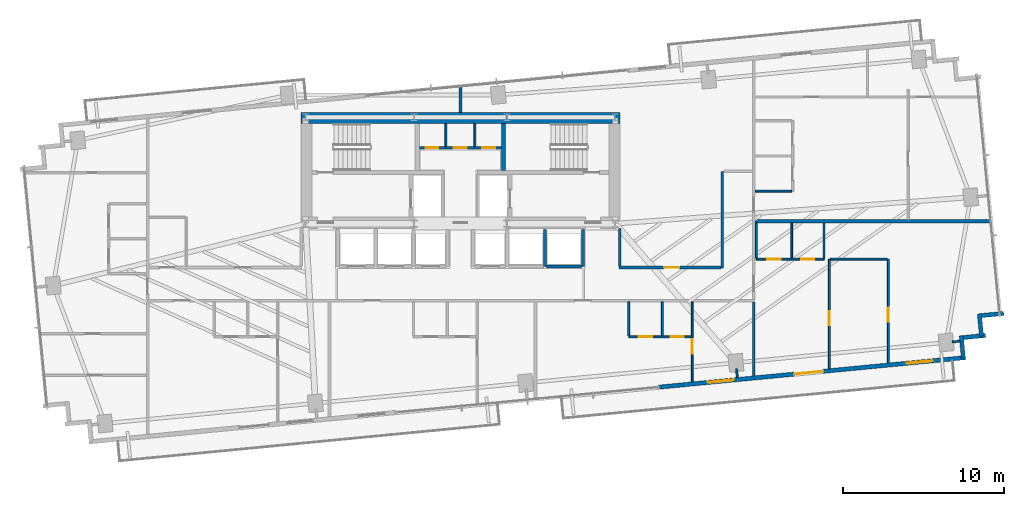
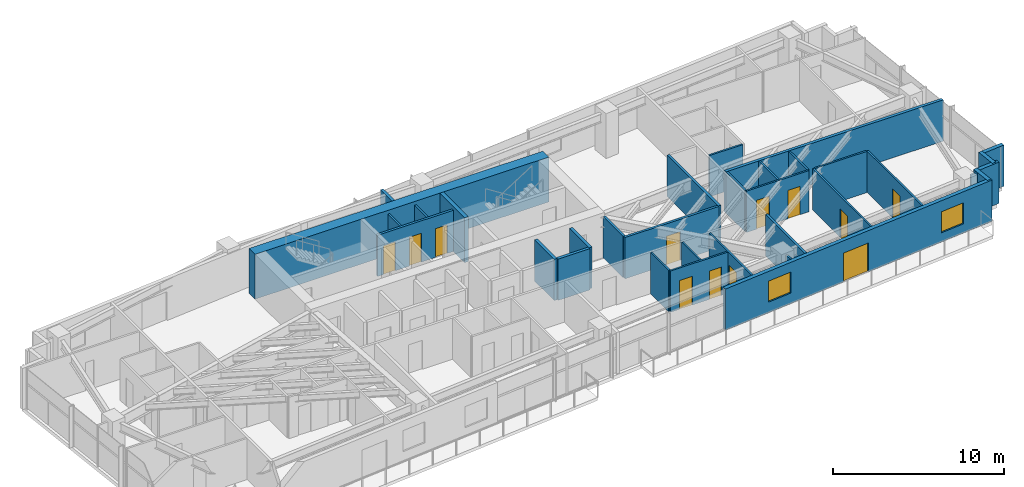
# One storey, part 23 of 27: 33 walls, 12 doors, 2 windows, 14 openings.
"""IFC4 building model written with IfcOpenShell, lengths in metres."""

from ifc_helpers import new_model, si_unit, direction, frame, frame_2d, origin, place, context, subcontext, project, spatial, rectangle, extrude, source, transform, mapped, material, layer, layer_set, type_object, type_shapes, element, fill, save


model = new_model("IFC4")

# Units and contexts
model_context = context("Model", 3, precision=1e-05, world=origin(), true_north=direction((0.0, 1.0)))
body_context = subcontext(model_context, "Body", "Model", "MODEL_VIEW")
ifc_project = project(units=[si_unit("LENGTHUNIT", "METRE"), si_unit("AREAUNIT", "SQUARE_METRE"), si_unit("VOLUMEUNIT", "CUBIC_METRE"), si_unit("PLANEANGLEUNIT", "RADIAN"), si_unit("MASSUNIT", "GRAM", prefix="KILO")], contexts=[model_context])

# Site, building, storey
site_placement = place(None, origin())
site = spatial("IfcSite", under=ifc_project, at=site_placement, CompositionType="ELEMENT")
building_placement = place(site_placement, origin())
building = spatial("IfcBuilding", under=site, at=building_placement, Name="Astriad Promenade Condominiums", CompositionType="ELEMENT")
storey_placement = place(building_placement, frame((0.0, 0.0, 97.0)))
storey = spatial("IfcBuildingStorey", under=building, at=storey_placement, Name="L27", CompositionType="ELEMENT", Elevation=97.0)

# Walls
ifc_material_1 = material(Name="Concrete C60/75", Category="concrete")
ifc_layer_1 = layer(ifc_material_1, 0.699951171875)
ifc_layer_set_1 = layer_set([ifc_layer_1], Name="Concrete C60/75")
wall_type_1 = type_object("IfcWallType", Name="CW-SHEAR-700", PredefinedType="SHEAR", material=ifc_layer_set_1)
wall_1_placement = place(storey_placement, frame((26.10009765625, 23.949951171875, 0.0), z_axis=(0.0, 0.0, 1.0), x_axis=(1.0, 0.0, 0.0)))
element("IfcWall", 1, at=wall_1_placement, inside=storey, type_object=wall_type_1, Name="CW-CORE-N-L27", PredefinedType="SHEAR", context=body_context, shape_type="SweptSolid", body=[
    extrude(rectangle(XDim=19.7998046875, YDim=0.699951171875, at=frame_2d((9.89990234375, 0.0))), origin(), (0.0, 0.0, 1.0), 3.199951171875),
])
ifc_material_2 = material(Name="Concrete C50/60", Category="concrete")
ifc_layer_2 = layer(ifc_material_2, 0.25)
ifc_layer_set_2 = layer_set([ifc_layer_2], Name="Concrete C50/60")
wall_type_2 = type_object("IfcWallType", Name="WALL-CORE-INT-250", PredefinedType="SOLIDWALL", material=ifc_layer_set_2)
wall_2_placement = place(storey_placement, frame((38.675048828125, 20.701904296875, 0.0), z_axis=(0.0, 0.0, 1.0), x_axis=(0.0, 1.0, 0.0)))
element("IfcWall", 2, at=wall_2_placement, inside=storey, type_object=wall_type_2, Name="CW-ST2-W-L27", PredefinedType="SOLIDWALL", context=body_context, shape_type="SweptSolid", body=[
    extrude(rectangle(XDim=2.89599609375, YDim=0.25, at=frame_2d((1.447998046875, 0.0))), origin(), (0.0, 0.0, 1.0), 3.199951171875),
])

# Wall, openings, doors
ifc_material_3 = material(Name="Fire-Rated Gypsum Partition")
ifc_layer_3 = layer(ifc_material_3, 0.159912109375)
ifc_layer_set_3 = layer_set([ifc_layer_3], Name="Fire-Rated Gypsum Partition")
wall_type_3 = type_object("IfcWallType", Name="WALL-CORR-160", PredefinedType="PARTITIONING", material=ifc_layer_set_3)
wall_3_placement = place(storey_placement, frame((33.451904296875, 22.10009765625, 0.0), z_axis=(0.0, 0.0, 1.0), x_axis=(1.0, 0.0, 0.0)))
wall_3 = element("IfcWall", 3, at=wall_3_placement, inside=storey, type_object=wall_type_3, Name="CW-AUX-N-L27", PredefinedType="PARTITIONING", context=body_context, shape_type="SweptSolid", body=[
    extrude(rectangle(XDim=5.09619140625, YDim=0.159912109375, at=frame_2d((2.548095703125, 0.0))), origin(), (0.0, 0.0, 1.0), 2.93994140625),
])
opening_1_placement = place(wall_3_placement, frame((0.387939453125, 0.0, 0.0)))
opening_1 = element("IfcOpeningElement", 4, at=opening_1_placement, cuts=wall_3, Name="Opening FD60-SV-080", PredefinedType="OPENING", context=body_context, shape_type="SweptSolid", body=[
    extrude(rectangle(XDim=0.800048828125, YDim=2.050048828125, at=frame_2d((0.39990234375, 1.02490234375))), frame((0.0, 0.08984375, 0.0), z_axis=(0.0, -1.0, 0.0), x_axis=(1.0, 0.0, 0.0)), (0.0, 0.0, 1.0), 0.179931640625),
])
opening_2_placement = place(wall_3_placement, frame((2.14794921875, 0.0, 0.0)))
opening_2 = element("IfcOpeningElement", 5, at=opening_2_placement, cuts=wall_3, Name="Opening FD60-SV-080", PredefinedType="OPENING", context=body_context, shape_type="SweptSolid", body=[
    extrude(rectangle(XDim=0.800048828125, YDim=2.050048828125, at=frame_2d((0.39990234375, 1.02490234375))), frame((0.0, 0.08984375, 0.0), z_axis=(0.0, -1.0, 0.0), x_axis=(1.0, 0.0, 0.0)), (0.0, 0.0, 1.0), 0.179931640625),
])
opening_3_placement = place(wall_3_placement, frame((3.907958984375, 0.0, 0.0)))
opening_3 = element("IfcOpeningElement", 6, at=opening_3_placement, cuts=wall_3, Name="Opening FD60-SV-080", PredefinedType="OPENING", context=body_context, shape_type="SweptSolid", body=[
    extrude(rectangle(XDim=0.800048828125, YDim=2.050048828125, at=frame_2d((0.39990234375, 1.02490234375))), frame((0.0, 0.08984375, 0.0), z_axis=(0.0, -1.0, 0.0), x_axis=(1.0, 0.0, 0.0)), (0.0, 0.0, 1.0), 0.179931640625),
])
ifc_material_4 = material(Name="Fire-Rated Riser Closet Door")
door_type_1 = type_object("IfcDoorType", Name="FD60-SV-080", OperationType="NOTDEFINED", PredefinedType="DOOR", material=ifc_material_4)
shared_shape_1 = source(origin(), body_context, "Body", "SweptSolid", [
    extrude(rectangle(XDim=0.800048828125, YDim=2.050048828125, at=frame_2d((0.39990234375, 1.02490234375))), frame((0.0, 0.02490234375, 0.0), z_axis=(0.0, -1.0, 0.0), x_axis=(1.0, 0.0, 0.0)), (0.0, 0.0, 1.0), 0.050048828125),
])
type_shapes(door_type_1, [shared_shape_1])
door_1_placement = place(opening_1_placement, origin())
door_1 = element("IfcDoor", 7, at=door_1_placement, inside=storey, type_object=door_type_1, Name="D-AUX1-L27", OperationType="SINGLE_SWING_RIGHT", OverallHeight=2.050048828125, OverallWidth=0.800048828125, PredefinedType="DOOR", context=body_context, shape_type="MappedRepresentation", body=[
    mapped(shared_shape_1, transform((0.0, 0.0, 0.0), scale=1.0)),
])
fill(opening_1, door_1)
door_2_placement = place(opening_2_placement, origin())
door_2 = element("IfcDoor", 8, at=door_2_placement, inside=storey, type_object=door_type_1, Name="D-AUX2-L27", OperationType="SINGLE_SWING_LEFT", OverallHeight=2.050048828125, OverallWidth=0.800048828125, PredefinedType="DOOR", context=body_context, shape_type="MappedRepresentation", body=[
    mapped(shared_shape_1, transform((0.0, 0.0, 0.0), scale=1.0)),
])
fill(opening_2, door_2)
door_3_placement = place(opening_3_placement, origin())
door_3 = element("IfcDoor", 9, at=door_3_placement, inside=storey, type_object=door_type_1, Name="D-AUX3-L27", OperationType="SINGLE_SWING_RIGHT", OverallHeight=2.050048828125, OverallWidth=0.800048828125, PredefinedType="DOOR", context=body_context, shape_type="MappedRepresentation", body=[
    mapped(shared_shape_1, transform((0.0, 0.0, 0.0), scale=1.0)),
])
fill(opening_3, door_3)

# Walls
wall_4_placement = place(storey_placement, frame((54.199951171875, 7.961181640625, 0.0), z_axis=(0.0, 0.0, 1.0), x_axis=(0.0, 1.0, 0.0)))
element("IfcWall", 10, at=wall_4_placement, inside=storey, type_object=wall_type_3, Name="PT-COR-E-L27", PredefinedType="PARTITIONING", context=body_context, shape_type="SweptSolid", body=[
    extrude(rectangle(XDim=4.5869140625, YDim=0.159912109375, at=frame_2d((2.29345703125, 0.0))), origin(), (0.0, 0.0, 1.0), 2.93994140625),
])
wall_5_placement = place(storey_placement, frame((52.25, 14.659912109375, 0.0), z_axis=(0.0, 0.0, 1.0), x_axis=(0.0, 1.0, 0.0)))
element("IfcWall", 11, at=wall_5_placement, inside=storey, type_object=wall_type_3, Name="PT-EALC-W-L27", PredefinedType="PARTITIONING", context=body_context, shape_type="SweptSolid", body=[
    extrude(rectangle(XDim=5.989990234375, YDim=0.159912109375, at=frame_2d((2.9951171875, 0.0))), origin(), (0.0, 0.0, 1.0), 2.93994140625),
])

# Wall, opening, door
wall_6_placement = place(storey_placement, frame((45.840087890625, 14.679931640625, 0.0), z_axis=(0.0, 0.0, 1.0), x_axis=(1.0, 0.0, 0.0)))
wall_6 = element("IfcWall", 12, at=wall_6_placement, inside=storey, type_object=wall_type_3, Name="PT-FLK-NE-L27", PredefinedType="PARTITIONING", context=body_context, shape_type="SweptSolid", body=[
    extrude(rectangle(XDim=6.327880859375, YDim=0.159912109375, at=frame_2d((3.1640625, 0.0))), origin(), (0.0, 0.0, 1.0), 2.93994140625),
])
opening_4_placement = place(wall_6_placement, frame((2.7900390625, 0.0, 0.0)))
opening_4 = element("IfcOpeningElement", 13, at=opening_4_placement, cuts=wall_6, Name="Opening FD60-APT-095", PredefinedType="OPENING", context=body_context, shape_type="SweptSolid", body=[
    extrude(rectangle(XDim=0.949951171875, YDim=2.06005859375, at=frame_2d((0.47509765625, 1.030029296875))), frame((0.0, 0.08984375, 0.0), z_axis=(0.0, -1.0, 0.0), x_axis=(1.0, 0.0, 0.0)), (0.0, 0.0, 1.0), 0.179931640625),
])
ifc_material_5 = material(Name="Solid-Core Acoustic Timber Residence Entry Door", Category="wood")
door_type_2 = type_object("IfcDoorType", Name="FD60-APT-095", OperationType="NOTDEFINED", PredefinedType="DOOR", material=ifc_material_5)
shared_shape_2 = source(origin(), body_context, "Body", "SweptSolid", [
    extrude(rectangle(XDim=0.949951171875, YDim=2.06005859375, at=frame_2d((0.47509765625, 1.030029296875))), frame((0.0, 0.02490234375, 0.0), z_axis=(0.0, -1.0, 0.0), x_axis=(1.0, 0.0, 0.0)), (0.0, 0.0, 1.0), 0.050048828125),
])
type_shapes(door_type_2, [shared_shape_2])
door_4_placement = place(opening_4_placement, origin())
door_4 = element("IfcDoor", 14, at=door_4_placement, inside=storey, type_object=door_type_2, Name="D-NEA-L27", OperationType="SINGLE_SWING_RIGHT", OverallHeight=2.06005859375, OverallWidth=0.949951171875, PredefinedType="DOOR", context=body_context, shape_type="MappedRepresentation", body=[
    mapped(shared_shape_2, transform((0.0, 0.0, 0.0), scale=1.0)),
])
fill(opening_4, door_4)

# Walls
wall_7_placement = place(storey_placement, frame((45.8798828125, 14.761962890625, 0.0), z_axis=(0.0, 0.0, 1.0), x_axis=(0.0, 1.0, 0.0)))
element("IfcWall", 15, at=wall_7_placement, inside=storey, type_object=wall_type_3, Name="PT-ESPUR-E-L27", PredefinedType="PARTITIONING", context=body_context, shape_type="SweptSolid", body=[
    extrude(rectangle(XDim=2.3359375, YDim=0.159912109375, at=frame_2d((1.16796875, 0.0))), origin(), (0.0, 0.0, 1.0), 2.93994140625),
])
ifc_material_6 = material(Name="Acoustic Double-Stud Gypsum Partition")
ifc_layer_4 = layer(ifc_material_6, 0.199951171875)
ifc_layer_set_4 = layer_set([ifc_layer_4], Name="Acoustic Double-Stud Gypsum Partition")
wall_type_4 = type_object("IfcWallType", Name="WALL-DEMISING-200", PredefinedType="PARTITIONING", material=ifc_layer_set_4)
wall_8_placement = place(storey_placement, frame((36.0, 24.302001953125, 0.0), z_axis=(0.0, 0.0, 1.0), x_axis=(0.0, 1.0, 0.0)))
element("IfcWall", 16, at=wall_8_placement, inside=storey, type_object=wall_type_4, Name="PT-NC-MID-L27", PredefinedType="PARTITIONING", context=body_context, shape_type="SweptSolid", body=[
    extrude(rectangle(XDim=1.65576171875, YDim=0.199951171875, at=frame_2d((0.827880859375, 0.0))), origin(), (0.0, 0.0, 1.0), 2.93994140625),
])
wall_9_placement = place(storey_placement, frame((54.281982421875, 17.550048828125, 0.0), z_axis=(0.0, 0.0, 1.0), x_axis=(1.0, 0.0, 0.0)))
element("IfcWall", 17, at=wall_9_placement, inside=storey, type_object=wall_type_4, Name="PT-DEM-EE-L27", PredefinedType="PARTITIONING", context=body_context, shape_type="SweptSolid", body=[
    extrude(rectangle(XDim=14.655029296875, YDim=0.199951171875, at=frame_2d((7.32763671875, 0.0))), origin(), (0.0, 0.0, 1.0), 2.93994140625),
])
ifc_material_7 = material(Name="Precast concrete C50/60", Category="concrete")
ifc_layer_5 = layer(ifc_material_7, 0.260009765625)
ifc_layer_set_5 = layer_set([ifc_layer_5], Name="Precast concrete C50/60")
wall_type_5 = type_object("IfcWallType", Name="WALL-EXT-TWR-260", PredefinedType="STANDARD", material=ifc_layer_set_5)
for number, where, z_axis, x_axis, name in (
    (18, (69.698486328125, 11.83251953125, 0.0), (0.0, 0.0, 1.0), (-0.99540614245, -0.095742423056, 0.0), "W-SER-L27-14"),
    (19, (68.18310546875, 11.817138671875, 0.0), (0.0, 0.0, 1.0), (0.095915846097, -0.995389446633, 0.0), "W-SER-L27-15"),
):
    element("IfcWall", number, at=place(storey_placement, frame(where, z_axis=z_axis, x_axis=x_axis)), inside=storey, type_object=wall_type_5, Name=name, PredefinedType="STANDARD", context=body_context, shape_type="SweptSolid", body=[
        extrude(rectangle(XDim=1.394775390625, YDim=0.260009765625, at=frame_2d((0.697265625, 0.0))), origin(), (0.0, 0.0, 1.0), 2.93994140625),
    ])
wall_10_placement = place(storey_placement, frame((68.57421875, 10.468505859375, 0.0), z_axis=(0.0, 0.0, 1.0), x_axis=(-0.99540774648, -0.095725744959, 0.0)))
element("IfcWall", 20, at=wall_10_placement, inside=storey, type_object=wall_type_5, Name="W-SER-L27-16", PredefinedType="STANDARD", context=body_context, shape_type="SweptSolid", body=[
    extrude(rectangle(XDim=1.39501953125, YDim=0.260009765625, at=frame_2d((0.697509765625, 0.0))), origin(), (0.0, 0.0, 1.0), 2.93994140625),
])
wall_11_placement = place(storey_placement, frame((67.05859375, 10.453125, 0.0), z_axis=(0.0, 0.0, 1.0), x_axis=(0.095915846097, -0.995389446633, 0.0)))
element("IfcWall", 21, at=wall_11_placement, inside=storey, type_object=wall_type_5, Name="W-SER-L27-17", PredefinedType="STANDARD", context=body_context, shape_type="SweptSolid", body=[
    extrude(rectangle(XDim=1.394775390625, YDim=0.260009765625, at=frame_2d((0.697265625, 0.0))), origin(), (0.0, 0.0, 1.0), 2.93994140625),
])

# Wall, openings, door, windows
wall_12_placement = place(storey_placement, frame((67.3203125, 9.092041015625, 0.0), z_axis=(0.0, 0.0, 1.0), x_axis=(-0.995396521236, -0.095842399342, 0.0)))
wall_12 = element("IfcWall", 22, at=wall_12_placement, inside=storey, type_object=wall_type_5, Name="W-EXT-L27-S1", PredefinedType="STANDARD", context=body_context, shape_type="SweptSolid", body=[
    extrude(rectangle(XDim=19.10986328125, YDim=0.260009765625, at=frame_2d((9.554931640625, 0.0))), origin(), (0.0, 0.0, 1.0), 2.93994140625),
])
opening_5_placement = place(wall_12_placement, frame((8.85595703125, 0.0, 0.0)))
opening_5 = element("IfcOpeningElement", 23, at=opening_5_placement, cuts=wall_12, Name="Opening BD-1822-SLD", PredefinedType="OPENING", context=body_context, shape_type="SweptSolid", body=[
    extrude(rectangle(XDim=1.800048828125, YDim=2.06005859375, at=frame_2d((0.89990234375, 1.030029296875))), frame((0.0, 0.139892578125, 0.0), z_axis=(0.0, -1.0, 0.0), x_axis=(1.0, 0.0, 0.0)), (0.0, 0.0, 1.0), 0.280029296875),
])
opening_6_placement = place(wall_12_placement, frame((2.050048828125, 0.0, 0.64990234375)))
opening_6 = element("IfcOpeningElement", 24, at=opening_6_placement, cuts=wall_12, Name="Opening WIN-TWR-1620", PredefinedType="OPENING", context=body_context, shape_type="SweptSolid", body=[
    extrude(rectangle(XDim=1.60009765625, YDim=1.5, at=frame_2d((0.800048828125, 0.75))), frame((0.0, 0.139892578125, 0.0), z_axis=(0.0, -1.0, 0.0), x_axis=(1.0, 0.0, 0.0)), (0.0, 0.0, 1.0), 0.280029296875),
])
opening_7_placement = place(wall_12_placement, frame((14.43798828125, 0.0, 0.75)))
opening_7 = element("IfcOpeningElement", 25, at=opening_7_placement, cuts=wall_12, Name="Opening WIN-TWR-1620", PredefinedType="OPENING", context=body_context, shape_type="SweptSolid", body=[
    extrude(rectangle(XDim=1.60009765625, YDim=1.5, at=frame_2d((0.800048828125, 0.75))), frame((0.0, 0.139892578125, 0.0), z_axis=(0.0, -1.0, 0.0), x_axis=(1.0, 0.0, 0.0)), (0.0, 0.0, 1.0), 0.280029296875),
])
ifc_material_8 = material(Name="Thermally Broken Aluminium Sliding Balcony Door", Category="aluminium")
door_type_3 = type_object("IfcDoorType", Name="BD-1822-SLD", OperationType="NOTDEFINED", PredefinedType="DOOR", material=ifc_material_8)
shared_shape_3 = source(origin(), body_context, "Body", "SweptSolid", [
    extrude(rectangle(XDim=1.800048828125, YDim=2.06005859375, at=frame_2d((0.89990234375, 1.030029296875))), frame((0.0, 0.02490234375, 0.0), z_axis=(0.0, -1.0, 0.0), x_axis=(1.0, 0.0, 0.0)), (0.0, 0.0, 1.0), 0.050048828125),
])
type_shapes(door_type_3, [shared_shape_3])
door_5_placement = place(opening_5_placement, origin())
door_5 = element("IfcDoor", 26, at=door_5_placement, inside=storey, type_object=door_type_3, Name="BD-L27-SE", OperationType="SLIDING_TO_RIGHT", OverallHeight=2.06005859375, OverallWidth=1.800048828125, PredefinedType="DOOR", context=body_context, shape_type="MappedRepresentation", body=[
    mapped(shared_shape_3, transform((0.0, 0.0, 0.0), scale=1.0)),
])
fill(opening_5, door_5)
ifc_material_9 = material(Name="Dark Tinted Triple-Glazed Aluminium Window", Category="aluminium")
window_type = type_object("IfcWindowType", Name="WIN-TWR-1620", PartitioningType="SINGLE_PANEL", PredefinedType="WINDOW", material=ifc_material_9)
shared_shape_4 = source(origin(), body_context, "Body", "SweptSolid", [
    extrude(rectangle(XDim=1.60009765625, YDim=1.5, at=frame_2d((0.800048828125, 0.75))), frame((0.0, 0.030029296875, 0.0), z_axis=(0.0, -1.0, 0.0), x_axis=(1.0, 0.0, 0.0)), (0.0, 0.0, 1.0), 0.06005859375),
])
type_shapes(window_type, [shared_shape_4])
window_1_placement = place(opening_6_placement, origin())
window_1 = element("IfcWindow", 27, at=window_1_placement, inside=storey, type_object=window_type, Name="WIN-L27-SE", OverallHeight=1.5, OverallWidth=1.60009765625, PartitioningType="SINGLE_PANEL", PredefinedType="WINDOW", context=body_context, shape_type="MappedRepresentation", body=[
    mapped(shared_shape_4, transform((0.0, 0.0, 0.0), scale=1.0)),
])
fill(opening_6, window_1)
window_2_placement = place(opening_7_placement, origin())
window_2 = element("IfcWindow", 28, at=window_2_placement, inside=storey, type_object=window_type, Name="WIN-DW-L27-S3-BD1", OverallHeight=1.5, OverallWidth=1.60009765625, PartitioningType="SINGLE_PANEL", PredefinedType="WINDOW", context=body_context, shape_type="MappedRepresentation", body=[
    mapped(shared_shape_4, transform((0.0, 0.0, 0.0), scale=1.0)),
])
fill(opening_7, window_2)

# Walls
ifc_material_10 = material(Name="Acoustic Metal-Stud Gypsum Partition")
ifc_layer_6 = layer(ifc_material_10, 0.1201171875)
ifc_layer_set_6 = layer_set([ifc_layer_6], Name="Acoustic Metal-Stud Gypsum Partition")
wall_type_6 = type_object("IfcWallType", Name="WALL-PART-120", PredefinedType="PARTITIONING", material=ifc_layer_set_6)
for number, where, z_axis, x_axis, name in (
    (29, (35.10009765625, 22.181884765625, 0.0), (0.0, 0.0, 1.0), (0.0, 1.0, 0.0), "CW-AUX-V1-L27"),
    (30, (36.89990234375, 22.181884765625, 0.0), (0.0, 0.0, 1.0), (0.0, 1.0, 0.0), "CW-AUX-V2-L27"),
):
    element("IfcWall", number, at=place(storey_placement, frame(where, z_axis=z_axis, x_axis=x_axis)), inside=storey, type_object=wall_type_6, Name=name, PredefinedType="PARTITIONING", context=body_context, shape_type="SweptSolid", body=[
        extrude(rectangle(XDim=1.416015625, YDim=0.1201171875, at=frame_2d((0.7080078125, 0.0))), origin(), (0.0, 0.0, 1.0), 2.93994140625),
    ])

# Wall, opening, door
wall_13_placement = place(storey_placement, frame((50.3798828125, 7.593505859375, 0.0), z_axis=(0.0, 0.0, 1.0), x_axis=(0.0, 1.0, 0.0)))
wall_13 = element("IfcWall", 31, at=wall_13_placement, inside=storey, type_object=wall_type_6, Name="PT-L27-S3-BD1", PredefinedType="PARTITIONING", context=body_context, shape_type="SweptSolid", body=[
    extrude(rectangle(XDim=4.95458984375, YDim=0.1201171875, at=frame_2d((2.477294921875, 0.0))), origin(), (0.0, 0.0, 1.0), 2.93994140625),
])
opening_8_placement = place(wall_13_placement, frame((1.75244140625, 0.0, 0.0)))
opening_8 = element("IfcOpeningElement", 32, at=opening_8_placement, cuts=wall_13, Name="Opening D-INT-090", PredefinedType="OPENING", context=body_context, shape_type="SweptSolid", body=[
    extrude(rectangle(XDim=0.89990234375, YDim=2.050048828125, at=frame_2d((0.449951171875, 1.02490234375))), frame((0.0, 0.070068359375, 0.0), z_axis=(0.0, -1.0, 0.0), x_axis=(1.0, 0.0, 0.0)), (0.0, 0.0, 1.0), 0.14013671875),
])
ifc_material_11 = material(Name="Painted Solid-Core Timber Bedroom Door", Category="wood")
door_type_4 = type_object("IfcDoorType", Name="D-INT-090", OperationType="NOTDEFINED", PredefinedType="DOOR", material=ifc_material_11)
shared_shape_5 = source(origin(), body_context, "Body", "SweptSolid", [
    extrude(rectangle(XDim=0.89990234375, YDim=2.050048828125, at=frame_2d((0.449951171875, 1.02490234375))), frame((0.0, 0.02490234375, 0.0), z_axis=(0.0, -1.0, 0.0), x_axis=(1.0, 0.0, 0.0)), (0.0, 0.0, 1.0), 0.050048828125),
])
type_shapes(door_type_4, [shared_shape_5])
door_6_placement = place(opening_8_placement, origin())
door_6 = element("IfcDoor", 33, at=door_6_placement, inside=storey, type_object=door_type_4, Name="D-BD1-L27-S3", OperationType="SINGLE_SWING_RIGHT", OverallHeight=2.050048828125, OverallWidth=0.89990234375, PredefinedType="DOOR", context=body_context, shape_type="MappedRepresentation", body=[
    mapped(shared_shape_5, transform((0.0, 0.0, 0.0), scale=1.0)),
])
fill(opening_8, door_6)

# Wall, openings, doors
wall_14_placement = place(storey_placement, frame((46.429931640625, 10.3798828125, 0.0), z_axis=(0.0, 0.0, 1.0), x_axis=(1.0, 0.0, 0.0)))
wall_14 = element("IfcWall", 34, at=wall_14_placement, inside=storey, type_object=wall_type_6, Name="PT-L27-S3-PS", PredefinedType="PARTITIONING", context=body_context, shape_type="SweptSolid", body=[
    extrude(rectangle(XDim=3.88818359375, YDim=0.1201171875, at=frame_2d((1.944091796875, 0.0))), origin(), (0.0, 0.0, 1.0), 2.93994140625),
])
opening_9_placement = place(wall_14_placement, frame((0.625, 0.0, 0.0)))
opening_9 = element("IfcOpeningElement", 35, at=opening_9_placement, cuts=wall_14, Name="Opening D-INT-085", PredefinedType="OPENING", context=body_context, shape_type="SweptSolid", body=[
    extrude(rectangle(XDim=0.85009765625, YDim=2.050048828125, at=frame_2d((0.425048828125, 1.02490234375))), frame((0.0, 0.070068359375, 0.0), z_axis=(0.0, -1.0, 0.0), x_axis=(1.0, 0.0, 0.0)), (0.0, 0.0, 1.0), 0.14013671875),
])
opening_10_placement = place(wall_14_placement, frame((2.625, 0.0, 0.0)))
opening_10 = element("IfcOpeningElement", 36, at=opening_10_placement, cuts=wall_14, Name="Opening D-WET-080", PredefinedType="OPENING", context=body_context, shape_type="SweptSolid", body=[
    extrude(rectangle(XDim=0.800048828125, YDim=2.02001953125, at=frame_2d((0.39990234375, 1.010009765625))), frame((0.0, 0.070068359375, 0.0), z_axis=(0.0, -1.0, 0.0), x_axis=(1.0, 0.0, 0.0)), (0.0, 0.0, 1.0), 0.14013671875),
])
ifc_material_12 = material(Name="Moisture-Resistant Timber Bathroom Door", Category="wood")
door_type_5 = type_object("IfcDoorType", Name="D-WET-080", OperationType="NOTDEFINED", PredefinedType="DOOR", material=ifc_material_12)
shared_shape_6 = source(origin(), body_context, "Body", "SweptSolid", [
    extrude(rectangle(XDim=0.800048828125, YDim=2.02001953125, at=frame_2d((0.39990234375, 1.010009765625))), frame((0.0, 0.02490234375, 0.0), z_axis=(0.0, -1.0, 0.0), x_axis=(1.0, 0.0, 0.0)), (0.0, 0.0, 1.0), 0.050048828125),
])
type_shapes(door_type_5, [shared_shape_6])
door_7_placement = place(opening_10_placement, origin())
door_7 = element("IfcDoor", 37, at=door_7_placement, inside=storey, type_object=door_type_5, Name="D-BTH-L27-S3", OperationType="SINGLE_SWING_RIGHT", OverallHeight=2.02001953125, OverallWidth=0.800048828125, PredefinedType="DOOR", context=body_context, shape_type="MappedRepresentation", body=[
    mapped(shared_shape_6, transform((0.0, 0.0, 0.0), scale=1.0)),
])
fill(opening_10, door_7)
ifc_material_13 = material(Name="Painted Solid-Core Timber Room Door", Category="wood")
door_type_6 = type_object("IfcDoorType", Name="D-INT-085", OperationType="NOTDEFINED", PredefinedType="DOOR", material=ifc_material_13)
shared_shape_7 = source(origin(), body_context, "Body", "SweptSolid", [
    extrude(rectangle(XDim=0.85009765625, YDim=2.050048828125, at=frame_2d((0.425048828125, 1.02490234375))), frame((0.0, 0.02490234375, 0.0), z_axis=(0.0, -1.0, 0.0), x_axis=(1.0, 0.0, 0.0)), (0.0, 0.0, 1.0), 0.050048828125),
])
type_shapes(door_type_6, [shared_shape_7])
door_8_placement = place(opening_9_placement, origin())
door_8 = element("IfcDoor", 38, at=door_8_placement, inside=storey, type_object=door_type_6, Name="D-KIT-L27-S3", OperationType="SINGLE_SWING_LEFT", OverallHeight=2.050048828125, OverallWidth=0.85009765625, PredefinedType="DOOR", context=body_context, shape_type="MappedRepresentation", body=[
    mapped(shared_shape_7, transform((0.0, 0.0, 0.0), scale=1.0)),
])
fill(opening_9, door_8)

# Walls
for number, where, z_axis, x_axis, name in (
    (39, (48.530029296875, 10.44189453125, 0.0), (0.0, 0.0, 1.0), (0.0, 1.0, 0.0), "PT-L27-S3-PBK"),
    (40, (46.429931640625, 10.44189453125, 0.0), (0.0, 0.0, 1.0), (0.0, 1.0, 0.0), "PT-L27-S3-PKW"),
):
    element("IfcWall", number, at=place(storey_placement, frame(where, z_axis=z_axis, x_axis=x_axis)), inside=storey, type_object=wall_type_6, Name=name, PredefinedType="PARTITIONING", context=body_context, shape_type="SweptSolid", body=[
        extrude(rectangle(XDim=2.106201171875, YDim=0.1201171875, at=frame_2d((1.05322265625, 0.0))), origin(), (0.0, 0.0, 1.0), 2.93994140625),
    ])

# Wall, openings, doors
wall_15_placement = place(storey_placement, frame((54.35009765625, 15.199951171875, 0.0), z_axis=(0.0, 0.0, 1.0), x_axis=(1.0, 0.0, 0.0)))
wall_15 = element("IfcWall", 41, at=wall_15_placement, inside=storey, type_object=wall_type_6, Name="PT-L27-E1-PH", PredefinedType="PARTITIONING", context=body_context, shape_type="SweptSolid", body=[
    extrude(rectangle(XDim=4.199951171875, YDim=0.1201171875, at=frame_2d((2.10009765625, 0.0))), origin(), (0.0, 0.0, 1.0), 2.93994140625),
])
opening_11_placement = place(wall_15_placement, frame((0.675048828125, 0.0, 0.0)))
opening_11 = element("IfcOpeningElement", 42, at=opening_11_placement, cuts=wall_15, Name="Opening D-INT-085", PredefinedType="OPENING", context=body_context, shape_type="SweptSolid", body=[
    extrude(rectangle(XDim=0.85009765625, YDim=2.050048828125, at=frame_2d((0.425048828125, 1.02490234375))), frame((0.0, 0.070068359375, 0.0), z_axis=(0.0, -1.0, 0.0), x_axis=(1.0, 0.0, 0.0)), (0.0, 0.0, 1.0), 0.14013671875),
])
opening_12_placement = place(wall_15_placement, frame((2.800048828125, 0.0, 0.0)))
opening_12 = element("IfcOpeningElement", 43, at=opening_12_placement, cuts=wall_15, Name="Opening D-WET-080", PredefinedType="OPENING", context=body_context, shape_type="SweptSolid", body=[
    extrude(rectangle(XDim=0.800048828125, YDim=2.02001953125, at=frame_2d((0.39990234375, 1.010009765625))), frame((0.0, 0.070068359375, 0.0), z_axis=(0.0, -1.0, 0.0), x_axis=(1.0, 0.0, 0.0)), (0.0, 0.0, 1.0), 0.14013671875),
])
door_9_placement = place(opening_12_placement, origin())
door_9 = element("IfcDoor", 44, at=door_9_placement, inside=storey, type_object=door_type_5, Name="D-BTH-L27-E1", OperationType="SINGLE_SWING_LEFT", OverallHeight=2.02001953125, OverallWidth=0.800048828125, PredefinedType="DOOR", context=body_context, shape_type="MappedRepresentation", body=[
    mapped(shared_shape_6, transform((0.0, 0.0, 0.0), scale=1.0)),
])
fill(opening_12, door_9)
door_10_placement = place(opening_11_placement, origin())
door_10 = element("IfcDoor", 45, at=door_10_placement, inside=storey, type_object=door_type_6, Name="D-KIT-L27-E1", OperationType="SINGLE_SWING_RIGHT", OverallHeight=2.050048828125, OverallWidth=0.85009765625, PredefinedType="DOOR", context=body_context, shape_type="MappedRepresentation", body=[
    mapped(shared_shape_7, transform((0.0, 0.0, 0.0), scale=1.0)),
])
fill(opening_11, door_10)

# Walls
for number, where, z_axis, x_axis, name in (
    (46, (54.35009765625, 15.261962890625, 0.0), (0.0, 0.0, 1.0), (0.0, 1.0, 0.0), "PT-L27-E1-PK1"),
    (47, (56.550048828125, 15.261962890625, 0.0), (0.0, 0.0, 1.0), (0.0, 1.0, 0.0), "PT-L27-E1-PK2"),
    (48, (58.550048828125, 15.261962890625, 0.0), (0.0, 0.0, 1.0), (0.0, 1.0, 0.0), "PT-L27-E1-PK3"),
):
    element("IfcWall", number, at=place(storey_placement, frame(where, z_axis=z_axis, x_axis=x_axis)), inside=storey, type_object=wall_type_6, Name=name, PredefinedType="PARTITIONING", context=body_context, shape_type="SweptSolid", body=[
        extrude(rectangle(XDim=2.18603515625, YDim=0.1201171875, at=frame_2d((1.093017578125, 0.0))), origin(), (0.0, 0.0, 1.0), 2.93994140625),
    ])

# Wall, opening, door
wall_16_placement = place(storey_placement, frame((58.8798828125, 8.411865234375, 0.0), z_axis=(0.0, 0.0, 1.0), x_axis=(0.0, 1.0, 0.0)))
wall_16 = element("IfcWall", 49, at=wall_16_placement, inside=storey, type_object=wall_type_6, Name="PT-L27-E1-CAP1", PredefinedType="PARTITIONING", context=body_context, shape_type="SweptSolid", body=[
    extrude(rectangle(XDim=6.7880859375, YDim=0.1201171875, at=frame_2d((3.39404296875, 0.0))), origin(), (0.0, 0.0, 1.0), 2.93994140625),
])
opening_13_placement = place(wall_16_placement, frame((2.696044921875, 0.0, 0.0)))
opening_13 = element("IfcOpeningElement", 50, at=opening_13_placement, cuts=wall_16, Name="Opening D-INT-085", PredefinedType="OPENING", context=body_context, shape_type="SweptSolid", body=[
    extrude(rectangle(XDim=0.85009765625, YDim=2.050048828125, at=frame_2d((0.425048828125, 1.02490234375))), frame((0.0, 0.070068359375, 0.0), z_axis=(0.0, -1.0, 0.0), x_axis=(1.0, 0.0, 0.0)), (0.0, 0.0, 1.0), 0.14013671875),
])
door_11_placement = place(opening_13_placement, origin())
door_11 = element("IfcDoor", 51, at=door_11_placement, inside=storey, type_object=door_type_6, Name="D-CAP1-L27-E1", OperationType="SINGLE_SWING_RIGHT", OverallHeight=2.050048828125, OverallWidth=0.85009765625, PredefinedType="DOOR", context=body_context, shape_type="MappedRepresentation", body=[
    mapped(shared_shape_7, transform((0.0, 0.0, 0.0), scale=1.0)),
])
fill(opening_13, door_11)

wall_17_placement = place(storey_placement, frame((62.535888671875, 8.763916015625, 0.0), z_axis=(0.0, 0.0, 1.0), x_axis=(0.0, 1.0, 0.0)))
wall_17 = element("IfcWall", 52, at=wall_17_placement, inside=storey, type_object=wall_type_6, Name="PT-L27-E1-CAP2", PredefinedType="PARTITIONING", context=body_context, shape_type="SweptSolid", body=[
    extrude(rectangle(XDim=6.43603515625, YDim=0.1201171875, at=frame_2d((3.218017578125, 0.0))), origin(), (0.0, 0.0, 1.0), 2.93994140625),
])
opening_14_placement = place(wall_17_placement, frame((2.568115234375, 0.0, 0.0)))
opening_14 = element("IfcOpeningElement", 53, at=opening_14_placement, cuts=wall_17, Name="Opening D-INT-085", PredefinedType="OPENING", context=body_context, shape_type="SweptSolid", body=[
    extrude(rectangle(XDim=0.85009765625, YDim=2.050048828125, at=frame_2d((0.425048828125, 1.02490234375))), frame((0.0, 0.070068359375, 0.0), z_axis=(0.0, -1.0, 0.0), x_axis=(1.0, 0.0, 0.0)), (0.0, 0.0, 1.0), 0.14013671875),
])
door_12_placement = place(opening_14_placement, origin())
door_12 = element("IfcDoor", 54, at=door_12_placement, inside=storey, type_object=door_type_6, Name="D-CAP2-L27-E1", OperationType="SINGLE_SWING_LEFT", OverallHeight=2.050048828125, OverallWidth=0.85009765625, PredefinedType="DOOR", context=body_context, shape_type="MappedRepresentation", body=[
    mapped(shared_shape_7, transform((0.0, 0.0, 0.0), scale=1.0)),
])
fill(opening_14, door_12)

# Walls
wall_18_placement = place(storey_placement, frame((58.94189453125, 15.199951171875, 0.0), z_axis=(0.0, 0.0, 1.0), x_axis=(1.0, 0.0, 0.0)))
element("IfcWall", 55, at=wall_18_placement, inside=storey, type_object=wall_type_6, Name="PT-L27-E1-CAP2H", PredefinedType="PARTITIONING", context=body_context, shape_type="SweptSolid", body=[
    extrude(rectangle(XDim=3.5322265625, YDim=0.1201171875, at=frame_2d((1.76611328125, 0.0))), origin(), (0.0, 0.0, 1.0), 2.93994140625),
])
wall_19_placement = place(storey_placement, frame((54.281982421875, 19.419921875, 0.0), z_axis=(0.0, 0.0, 1.0), x_axis=(1.0, 0.0, 0.0)))
element("IfcWall", 56, at=wall_19_placement, inside=storey, type_object=wall_type_6, Name="PT-L27-E2-PS", PredefinedType="PARTITIONING", context=body_context, shape_type="SweptSolid", body=[
    extrude(rectangle(XDim=2.256103515625, YDim=0.1201171875, at=frame_2d((1.1279296875, 0.0))), origin(), (0.0, 0.0, 1.0), 2.93994140625),
])
wall_20_placement = place(storey_placement, frame((53.121337890625, 8.39794921875, 0.0), z_axis=(0.0, 0.0, 1.0), x_axis=(0.096179204763, -0.995364034196, 0.0)))
element("IfcWall", 57, at=wall_20_placement, inside=storey, type_object=wall_type_6, Name="PT-PIL-L27-PC04-11", PredefinedType="PARTITIONING", context=body_context, shape_type="SweptSolid", body=[
    extrude(rectangle(XDim=0.5380859375, YDim=0.1201171875, at=frame_2d((0.26904296875, 0.0))), origin(), (0.0, 0.0, 1.0), 2.93994140625),
])
wall_21_placement = place(storey_placement, frame((66.5029296875, 10.068115234375, 0.0), z_axis=(0.0, 0.0, 1.0), x_axis=(0.995389482415, 0.095915474751, 0.0)))
element("IfcWall", 58, at=wall_21_placement, inside=storey, type_object=wall_type_6, Name="PT-PIL-L27-PC05-12", PredefinedType="PARTITIONING", context=body_context, shape_type="SweptSolid", body=[
    extrude(rectangle(XDim=0.458251953125, YDim=0.1201171875, at=frame_2d((0.22900390625, 0.0))), origin(), (0.0, 0.0, 1.0), 2.93994140625),
])
ifc_material_14 = material(Name="Gypsum Shaftliner Assembly")
ifc_layer_7 = layer(ifc_material_14, 0.199951171875)
ifc_layer_set_7 = layer_set([ifc_layer_7], Name="Gypsum Shaftliner Assembly")
wall_type_7 = type_object("IfcWallType", Name="WALL-SHAFT-200", PredefinedType="PARTITIONING", material=ifc_layer_set_7)
for number, where, z_axis, x_axis, name in (
    (59, (41.25, 14.75, 0.0), (0.0, 0.0, 1.0), (0.0, 1.0, 0.0), "PL-H-DIV-L27"),
    (60, (43.60009765625, 14.75, 0.0), (0.0, 0.0, 1.0), (0.0, 1.0, 0.0), "PL-E-OUT-L27"),
):
    element("IfcWall", number, at=place(storey_placement, frame(where, z_axis=z_axis, x_axis=x_axis)), inside=storey, type_object=wall_type_7, Name=name, PredefinedType="PARTITIONING", context=body_context, shape_type="SweptSolid", body=[
        extrude(rectangle(XDim=2.300048828125, YDim=0.199951171875, at=frame_2d((1.14990234375, 0.0))), origin(), (0.0, 0.0, 1.0), 2.93994140625),
    ])
wall_22_placement = place(storey_placement, frame((41.35205078125, 14.75, 0.0), z_axis=(0.0, 0.0, 1.0), x_axis=(1.0, 0.0, 0.0)))
element("IfcWall", 61, at=wall_22_placement, inside=storey, type_object=wall_type_7, Name="PL-H-FRT-L27-S2", PredefinedType="PARTITIONING", context=body_context, shape_type="SweptSolid", body=[
    extrude(rectangle(XDim=2.14599609375, YDim=0.199951171875, at=frame_2d((1.072998046875, 0.0))), origin(), (0.0, 0.0, 1.0), 2.93994140625),
])

save(model, "model.ifc")
